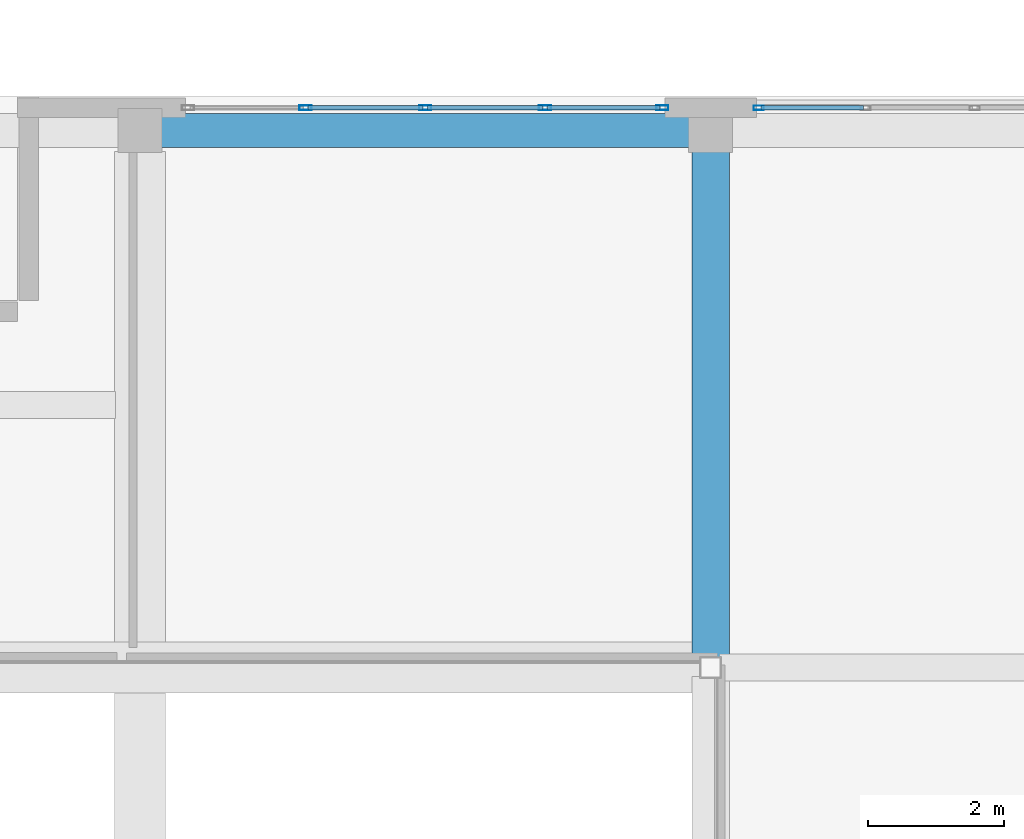
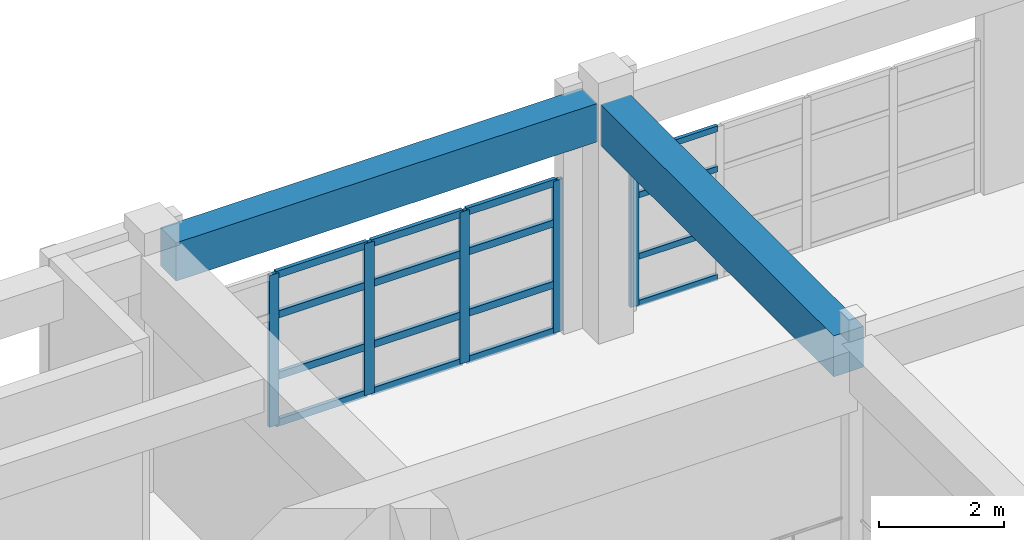
# One storey, part 70 of 103: 21 members, 2 beams, 2 elements without a shape of their own.
"""IFC4 building model written with IfcOpenShell, lengths in metres."""

from ifc_helpers import new_model, si_unit, direction, frame, origin, origin_2d, place, context, subcontext, project, spatial, rectangle, hollow_rectangle, extrude, material, layer, layer_set, material_profile, profile_set, type_object, element, aggregate, save


model = new_model("IFC4")

# Units and contexts
model_context = context("Model", 3, precision=1e-05, world=origin(), true_north=direction((0.0, 1.0)))
body_context = subcontext(model_context, "Body", "Model", "MODEL_VIEW")
ifc_project = project(units=[si_unit("LENGTHUNIT", "METRE"), si_unit("AREAUNIT", "SQUARE_METRE"), si_unit("VOLUMEUNIT", "CUBIC_METRE"), si_unit("PLANEANGLEUNIT", "RADIAN"), si_unit("MASSUNIT", "GRAM", prefix="KILO")], contexts=[model_context])

# Site, building, storey
site_placement = place(None, origin())
site = spatial("IfcSite", under=ifc_project, at=site_placement, CompositionType="ELEMENT")
building_placement = place(site_placement, origin())
building = spatial("IfcBuilding", under=site, at=building_placement, Name="Quendrovan Civic Courthouse", CompositionType="ELEMENT")
storey_placement = place(building_placement, frame((0.0, 0.0, 15.300048828125)))
storey = spatial("IfcBuildingStorey", under=building, at=storey_placement, Name="L04", CompositionType="ELEMENT", Elevation=15.300048828125)

# Beams
ifc_material_1 = material(Name="Concrete C40/50", Category="concrete")
ifc_material_profile_1 = material_profile(ifc_material_1, rectangle(XDim=0.5, YDim=0.75, at=origin_2d()), Name="RC-BM-500x750")
ifc_profile_set_1 = profile_set([ifc_material_profile_1], Name="Concrete C40/50")
beam_type_1 = type_object("IfcBeamType", Name="BM-RC750", PredefinedType="SPANDREL", material=ifc_profile_set_1)
beam_1_placement = place(storey_placement, frame((126.304931640625, 109.89990234375, 4.284912109375), z_axis=(1.0, 0.0, 0.0), x_axis=(0.0, 1.0, 0.0)))
element("IfcBeam", 1, at=beam_1_placement, inside=storey, type_object=beam_type_1, Name="L04 Girder X0934", PredefinedType="SPANDREL", context=body_context, shape_type="SweptSolid", body=[
    extrude(rectangle(XDim=0.5, YDim=0.75, at=origin_2d()), origin(), (0.0, 0.0, 1.0), 7.7900390625),
])
ifc_material_profile_2 = material_profile(ifc_material_1, rectangle(XDim=0.550048828125, YDim=0.800048828125, at=origin_2d()), Name="RC-BM-550x800")
ifc_profile_set_2 = profile_set([ifc_material_profile_2], Name="Concrete C40/50")
beam_type_2 = type_object("IfcBeamType", Name="BM-RC800", PredefinedType="BEAM", material=ifc_profile_set_2)
beam_2_placement = place(storey_placement, frame((134.39990234375, 102.1298828125, 4.260009765625), z_axis=(0.0, 1.0, 0.0), x_axis=(-1.0, 0.0, 0.0)))
element("IfcBeam", 2, at=beam_2_placement, inside=storey, type_object=beam_type_2, Name="L04 Girder Y0994", PredefinedType="BEAM", context=body_context, shape_type="SweptSolid", body=[
    extrude(rectangle(XDim=0.550048828125, YDim=0.800048828125, at=origin_2d()), origin(), (0.0, 0.0, 1.0), 7.465087890625),
])

# Curtain wall, members
ifc_material_2 = material(Name="Bronze anodised aluminium and low-E glass", Category="aluminium")
ifc_layer_1 = layer(ifc_material_2, 0.179931640625, Name="Bronze anodised aluminium and low-E glass")
ifc_layer_set_1 = layer_set([ifc_layer_1], Name="Bronze anodised aluminium and low-E glass")
curtain_wall_type_1 = type_object("IfcCurtainWallType", Name="CW-U70x30", PredefinedType="USERDEFINED", material=ifc_layer_set_1)
curtain_wall_1_placement = place(storey_placement, origin())
curtain_wall_1 = element("IfcCurtainWall", 3, at=curtain_wall_1_placement, inside=storey, type_object=curtain_wall_type_1, Name="L04 Unitised Hurricane Curtain Wall CW-168", ObjectType="UNITISED CURTAIN WALL", PredefinedType="USERDEFINED")
ifc_material_3 = material(Name="Bronze anodised aluminium", Category="aluminium")
ifc_material_profile_3 = material_profile(ifc_material_3, hollow_rectangle(XDim=0.070068359375, YDim=0.179931640625, WallThickness=0.00390625, at=origin_2d()), Name="CW-MULL-70x180")
ifc_profile_set_3 = profile_set([ifc_material_profile_3], Name="Bronze anodised aluminium")
member_type_1 = type_object("IfcMemberType", Name="CW-MULL-A", PredefinedType="MULLION", material=ifc_profile_set_3)
member_1_placement = place(storey_placement, frame((128.4375, 110.235107421875, 0.0), z_axis=(0.0, 0.0, 1.0), x_axis=(0.0, 1.0, 0.0)))
member_1 = element("IfcMember", 4, at=member_1_placement, type_object=member_type_1, Name="CW-168 mullion 2", PredefinedType="MULLION", context=body_context, shape_type="SweptSolid", body=[
    extrude(hollow_rectangle(XDim=0.070068359375, YDim=0.179931640625, WallThickness=0.00390625, at=origin_2d()), origin(), (0.0, 0.0, 1.0), 2.969970703125),
])
member_2_placement = place(storey_placement, frame((130.199951171875, 110.235107421875, 0.0), z_axis=(0.0, 0.0, 1.0), x_axis=(0.0, 1.0, 0.0)))
member_2 = element("IfcMember", 5, at=member_2_placement, type_object=member_type_1, Name="CW-168 mullion 3", PredefinedType="MULLION", context=body_context, shape_type="SweptSolid", body=[
    extrude(hollow_rectangle(XDim=0.070068359375, YDim=0.179931640625, WallThickness=0.00390625, at=origin_2d()), origin(), (0.0, 0.0, 1.0), 2.969970703125),
])
member_3_placement = place(storey_placement, frame((131.96240234375, 110.235107421875, 0.0), z_axis=(0.0, 0.0, 1.0), x_axis=(0.0, 1.0, 0.0)))
member_3 = element("IfcMember", 6, at=member_3_placement, type_object=member_type_1, Name="CW-168 mullion 4", PredefinedType="MULLION", context=body_context, shape_type="SweptSolid", body=[
    extrude(hollow_rectangle(XDim=0.070068359375, YDim=0.179931640625, WallThickness=0.00390625, at=origin_2d()), origin(), (0.0, 0.0, 1.0), 2.969970703125),
])
member_4_placement = place(storey_placement, frame((133.68994140625, 110.235107421875, 0.0), z_axis=(0.0, 0.0, 1.0), x_axis=(0.0, 1.0, 0.0)))
member_4 = element("IfcMember", 7, at=member_4_placement, type_object=member_type_1, Name="CW-168 mullion 5", PredefinedType="MULLION", context=body_context, shape_type="SweptSolid", body=[
    extrude(hollow_rectangle(XDim=0.070068359375, YDim=0.179931640625, WallThickness=0.00390625, at=origin_2d()), origin(), (0.0, 0.0, 1.0), 2.969970703125),
])

# Curtain wall, member
ifc_layer_2 = layer(ifc_material_2, 0.179931640625, Name="Bronze anodised aluminium and low-E glass")
ifc_layer_set_2 = layer_set([ifc_layer_2], Name="Bronze anodised aluminium and low-E glass")
curtain_wall_type_2 = type_object("IfcCurtainWallType", Name="CW-U64x30", PredefinedType="USERDEFINED", material=ifc_layer_set_2)
curtain_wall_2_placement = place(storey_placement, origin())
curtain_wall_2 = element("IfcCurtainWall", 8, at=curtain_wall_2_placement, inside=storey, type_object=curtain_wall_type_2, Name="L04 Unitised Hurricane Curtain Wall CW-169", ObjectType="UNITISED CURTAIN WALL", PredefinedType="USERDEFINED")
ifc_material_profile_4 = material_profile(ifc_material_3, hollow_rectangle(XDim=0.06494140625, YDim=0.14990234375, WallThickness=0.00390625, at=origin_2d()), Name="CW-MULL-65x150")
ifc_profile_set_4 = profile_set([ifc_material_profile_4], Name="Bronze anodised aluminium")
member_type_2 = type_object("IfcMemberType", Name="CW-MULL-B", PredefinedType="MULLION", material=ifc_profile_set_4)
member_5_placement = place(storey_placement, frame((135.107421875, 110.235107421875, 0.0), z_axis=(0.0, 0.0, 1.0), x_axis=(0.0, 1.0, 0.0)))
member_5 = element("IfcMember", 9, at=member_5_placement, type_object=member_type_2, Name="CW-169 mullion 1", PredefinedType="MULLION", context=body_context, shape_type="SweptSolid", body=[
    extrude(hollow_rectangle(XDim=0.06494140625, YDim=0.14990234375, WallThickness=0.00390625, at=origin_2d()), origin(), (0.0, 0.0, 1.0), 2.969970703125),
])

# Member
ifc_material_profile_5 = material_profile(ifc_material_3, hollow_rectangle(XDim=0.070068359375, YDim=0.139892578125, WallThickness=0.00390625, at=origin_2d()), Name="CW-TRAN-70x140")
ifc_profile_set_5 = profile_set([ifc_material_profile_5], Name="Bronze anodised aluminium")
member_type_3 = type_object("IfcMemberType", Name="CW-TRAN-A", PredefinedType="USERDEFINED", material=ifc_profile_set_5)
member_6_placement = place(storey_placement, frame((128.472412109375, 110.235107421875, 0.034912109375), z_axis=(1.0, 0.0, 0.0), x_axis=(0.0, 1.0, 0.0)))
member_6 = element("IfcMember", 10, at=member_6_placement, type_object=member_type_3, Name="CW-168 transom 2.1", ObjectType="TRANSOM", PredefinedType="USERDEFINED", context=body_context, shape_type="SweptSolid", body=[
    extrude(hollow_rectangle(XDim=0.070068359375, YDim=0.139892578125, WallThickness=0.00390625, at=origin_2d()), origin(), (0.0, 0.0, 1.0), 1.692626953125),
])

member_7_placement = place(storey_placement, frame((128.472412109375, 110.235107421875, 0.949951171875), z_axis=(1.0, 0.0, 0.0), x_axis=(0.0, 1.0, 0.0)))
member_7 = element("IfcMember", 11, at=member_7_placement, type_object=member_type_3, Name="CW-168 transom 2.2", ObjectType="TRANSOM", PredefinedType="USERDEFINED", context=body_context, shape_type="SweptSolid", body=[
    extrude(hollow_rectangle(XDim=0.070068359375, YDim=0.139892578125, WallThickness=0.00390625, at=origin_2d()), origin(), (0.0, 0.0, 1.0), 1.692626953125),
])

member_8_placement = place(storey_placement, frame((128.472412109375, 110.235107421875, 2.14990234375), z_axis=(1.0, 0.0, 0.0), x_axis=(0.0, 1.0, 0.0)))
member_8 = element("IfcMember", 12, at=member_8_placement, type_object=member_type_3, Name="CW-168 transom 2.3", ObjectType="TRANSOM", PredefinedType="USERDEFINED", context=body_context, shape_type="SweptSolid", body=[
    extrude(hollow_rectangle(XDim=0.070068359375, YDim=0.139892578125, WallThickness=0.00390625, at=origin_2d()), origin(), (0.0, 0.0, 1.0), 1.692626953125),
])

member_9_placement = place(storey_placement, frame((128.472412109375, 110.235107421875, 2.93505859375), z_axis=(1.0, 0.0, 0.0), x_axis=(0.0, 1.0, 0.0)))
member_9 = element("IfcMember", 13, at=member_9_placement, type_object=member_type_3, Name="CW-168 transom 2.4", ObjectType="TRANSOM", PredefinedType="USERDEFINED", context=body_context, shape_type="SweptSolid", body=[
    extrude(hollow_rectangle(XDim=0.070068359375, YDim=0.139892578125, WallThickness=0.00390625, at=origin_2d()), origin(), (0.0, 0.0, 1.0), 1.692626953125),
])

member_10_placement = place(storey_placement, frame((130.235107421875, 110.235107421875, 0.034912109375), z_axis=(1.0, 0.0, 0.0), x_axis=(0.0, 1.0, 0.0)))
member_10 = element("IfcMember", 14, at=member_10_placement, type_object=member_type_3, Name="CW-168 transom 3.1", ObjectType="TRANSOM", PredefinedType="USERDEFINED", context=body_context, shape_type="SweptSolid", body=[
    extrude(hollow_rectangle(XDim=0.070068359375, YDim=0.139892578125, WallThickness=0.00390625, at=origin_2d()), origin(), (0.0, 0.0, 1.0), 1.6923828125),
])

member_11_placement = place(storey_placement, frame((130.235107421875, 110.235107421875, 0.949951171875), z_axis=(1.0, 0.0, 0.0), x_axis=(0.0, 1.0, 0.0)))
member_11 = element("IfcMember", 15, at=member_11_placement, type_object=member_type_3, Name="CW-168 transom 3.2", ObjectType="TRANSOM", PredefinedType="USERDEFINED", context=body_context, shape_type="SweptSolid", body=[
    extrude(hollow_rectangle(XDim=0.070068359375, YDim=0.139892578125, WallThickness=0.00390625, at=origin_2d()), origin(), (0.0, 0.0, 1.0), 1.6923828125),
])

member_12_placement = place(storey_placement, frame((130.235107421875, 110.235107421875, 2.14990234375), z_axis=(1.0, 0.0, 0.0), x_axis=(0.0, 1.0, 0.0)))
member_12 = element("IfcMember", 16, at=member_12_placement, type_object=member_type_3, Name="CW-168 transom 3.3", ObjectType="TRANSOM", PredefinedType="USERDEFINED", context=body_context, shape_type="SweptSolid", body=[
    extrude(hollow_rectangle(XDim=0.070068359375, YDim=0.139892578125, WallThickness=0.00390625, at=origin_2d()), origin(), (0.0, 0.0, 1.0), 1.6923828125),
])

member_13_placement = place(storey_placement, frame((130.235107421875, 110.235107421875, 2.93505859375), z_axis=(1.0, 0.0, 0.0), x_axis=(0.0, 1.0, 0.0)))
member_13 = element("IfcMember", 17, at=member_13_placement, type_object=member_type_3, Name="CW-168 transom 3.4", ObjectType="TRANSOM", PredefinedType="USERDEFINED", context=body_context, shape_type="SweptSolid", body=[
    extrude(hollow_rectangle(XDim=0.070068359375, YDim=0.139892578125, WallThickness=0.00390625, at=origin_2d()), origin(), (0.0, 0.0, 1.0), 1.6923828125),
])

member_14_placement = place(storey_placement, frame((131.99755859375, 110.235107421875, 0.034912109375), z_axis=(1.0, 0.0, 0.0), x_axis=(0.0, 1.0, 0.0)))
member_14 = element("IfcMember", 18, at=member_14_placement, type_object=member_type_3, Name="CW-168 transom 4.1", ObjectType="TRANSOM", PredefinedType="USERDEFINED", context=body_context, shape_type="SweptSolid", body=[
    extrude(hollow_rectangle(XDim=0.070068359375, YDim=0.139892578125, WallThickness=0.00390625, at=origin_2d()), origin(), (0.0, 0.0, 1.0), 1.657470703125),
])

member_15_placement = place(storey_placement, frame((131.99755859375, 110.235107421875, 0.949951171875), z_axis=(1.0, 0.0, 0.0), x_axis=(0.0, 1.0, 0.0)))
member_15 = element("IfcMember", 19, at=member_15_placement, type_object=member_type_3, Name="CW-168 transom 4.2", ObjectType="TRANSOM", PredefinedType="USERDEFINED", context=body_context, shape_type="SweptSolid", body=[
    extrude(hollow_rectangle(XDim=0.070068359375, YDim=0.139892578125, WallThickness=0.00390625, at=origin_2d()), origin(), (0.0, 0.0, 1.0), 1.657470703125),
])

member_16_placement = place(storey_placement, frame((131.99755859375, 110.235107421875, 2.14990234375), z_axis=(1.0, 0.0, 0.0), x_axis=(0.0, 1.0, 0.0)))
member_16 = element("IfcMember", 20, at=member_16_placement, type_object=member_type_3, Name="CW-168 transom 4.3", ObjectType="TRANSOM", PredefinedType="USERDEFINED", context=body_context, shape_type="SweptSolid", body=[
    extrude(hollow_rectangle(XDim=0.070068359375, YDim=0.139892578125, WallThickness=0.00390625, at=origin_2d()), origin(), (0.0, 0.0, 1.0), 1.657470703125),
])

member_17_placement = place(storey_placement, frame((131.99755859375, 110.235107421875, 2.93505859375), z_axis=(1.0, 0.0, 0.0), x_axis=(0.0, 1.0, 0.0)))
member_17 = element("IfcMember", 21, at=member_17_placement, type_object=member_type_3, Name="CW-168 transom 4.4", ObjectType="TRANSOM", PredefinedType="USERDEFINED", context=body_context, shape_type="SweptSolid", body=[
    extrude(hollow_rectangle(XDim=0.070068359375, YDim=0.139892578125, WallThickness=0.00390625, at=origin_2d()), origin(), (0.0, 0.0, 1.0), 1.657470703125),
])

aggregate(curtain_wall_1, [member_1, member_2, member_3, member_4, member_6, member_7, member_8, member_9, member_10, member_11, member_12, member_13, member_14, member_15, member_16, member_17])

ifc_material_profile_6 = material_profile(ifc_material_3, hollow_rectangle(XDim=0.06494140625, YDim=0.114990234375, WallThickness=0.00390625, at=origin_2d()), Name="CW-TRAN-65x115")
ifc_profile_set_6 = profile_set([ifc_material_profile_6], Name="Bronze anodised aluminium")
member_type_4 = type_object("IfcMemberType", Name="CW-TRAN-B", PredefinedType="USERDEFINED", material=ifc_profile_set_6)
member_18_placement = place(storey_placement, frame((135.139892578125, 110.235107421875, 0.032470703125), z_axis=(1.0, 0.0, 0.0), x_axis=(0.0, 1.0, 0.0)))
member_18 = element("IfcMember", 22, at=member_18_placement, type_object=member_type_4, Name="CW-169 transom 1.1", ObjectType="TRANSOM", PredefinedType="USERDEFINED", context=body_context, shape_type="SweptSolid", body=[
    extrude(hollow_rectangle(XDim=0.06494140625, YDim=0.114990234375, WallThickness=0.00390625, at=origin_2d()), origin(), (0.0, 0.0, 1.0), 1.5087890625),
])

member_19_placement = place(storey_placement, frame((135.139892578125, 110.235107421875, 0.949951171875), z_axis=(1.0, 0.0, 0.0), x_axis=(0.0, 1.0, 0.0)))
member_19 = element("IfcMember", 23, at=member_19_placement, type_object=member_type_4, Name="CW-169 transom 1.2", ObjectType="TRANSOM", PredefinedType="USERDEFINED", context=body_context, shape_type="SweptSolid", body=[
    extrude(hollow_rectangle(XDim=0.06494140625, YDim=0.114990234375, WallThickness=0.00390625, at=origin_2d()), origin(), (0.0, 0.0, 1.0), 1.5087890625),
])

member_20_placement = place(storey_placement, frame((135.139892578125, 110.235107421875, 2.14990234375), z_axis=(1.0, 0.0, 0.0), x_axis=(0.0, 1.0, 0.0)))
member_20 = element("IfcMember", 24, at=member_20_placement, type_object=member_type_4, Name="CW-169 transom 1.3", ObjectType="TRANSOM", PredefinedType="USERDEFINED", context=body_context, shape_type="SweptSolid", body=[
    extrude(hollow_rectangle(XDim=0.06494140625, YDim=0.114990234375, WallThickness=0.00390625, at=origin_2d()), origin(), (0.0, 0.0, 1.0), 1.5087890625),
])

member_21_placement = place(storey_placement, frame((135.139892578125, 110.235107421875, 2.9375), z_axis=(1.0, 0.0, 0.0), x_axis=(0.0, 1.0, 0.0)))
member_21 = element("IfcMember", 25, at=member_21_placement, type_object=member_type_4, Name="CW-169 transom 1.4", ObjectType="TRANSOM", PredefinedType="USERDEFINED", context=body_context, shape_type="SweptSolid", body=[
    extrude(hollow_rectangle(XDim=0.06494140625, YDim=0.114990234375, WallThickness=0.00390625, at=origin_2d()), origin(), (0.0, 0.0, 1.0), 1.5087890625),
])

aggregate(curtain_wall_2, [member_5, member_18, member_19, member_20, member_21])

save(model, "model.ifc")
